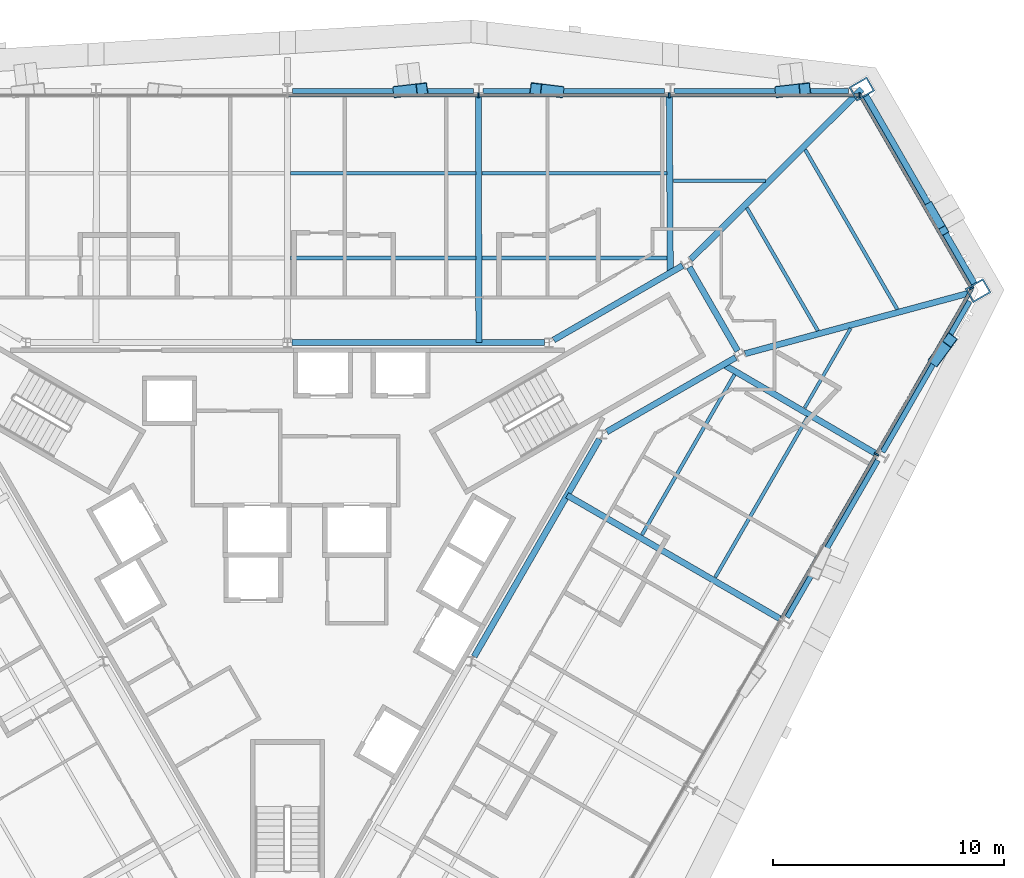
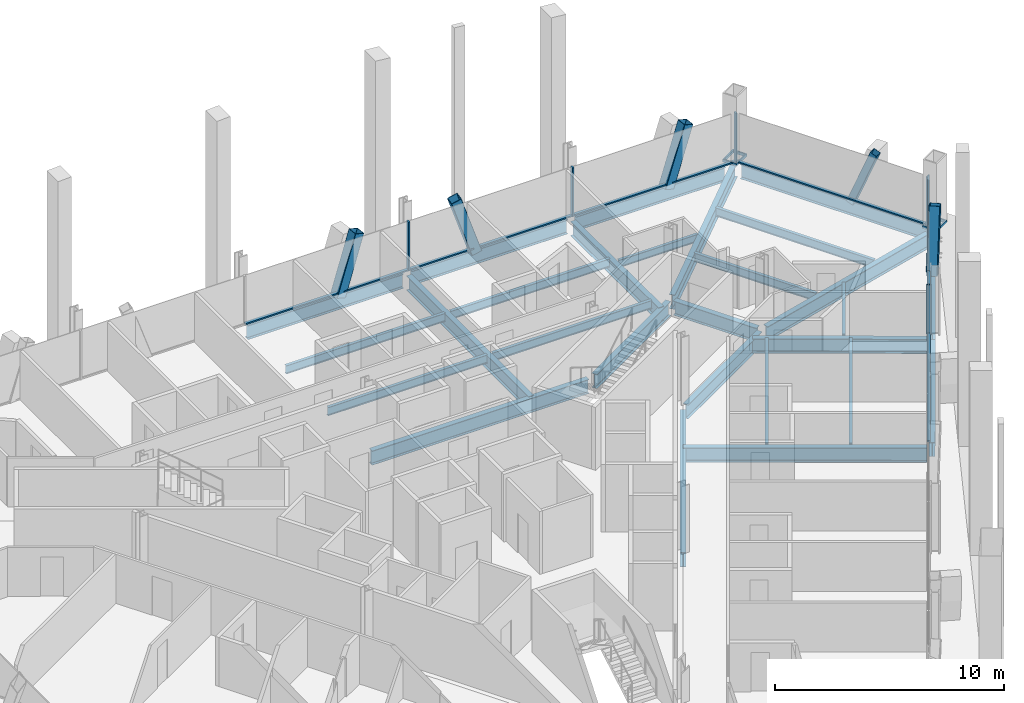
# One storey, part 8 of 17: 27 beams, 18 members, 3 elements without a shape of their own.
"""IFC4 building model written with IfcOpenShell, lengths in metres."""

from ifc_helpers import new_model, si_unit, direction, frame, origin, origin_2d, place, context, subcontext, project, spatial, rectangle, hollow_rectangle, i_section, extrude, material, material_profile, profile_set, type_object, element, aggregate, save


model = new_model("IFC4")

# Units and contexts
model_context = context("Model", 3, precision=1e-05, world=origin(), true_north=direction((0.0, 1.0)))
body_context = subcontext(model_context, "Body", "Model", "MODEL_VIEW")
ifc_project = project(units=[si_unit("LENGTHUNIT", "METRE"), si_unit("AREAUNIT", "SQUARE_METRE"), si_unit("VOLUMEUNIT", "CUBIC_METRE"), si_unit("PLANEANGLEUNIT", "RADIAN"), si_unit("MASSUNIT", "GRAM", prefix="KILO")], contexts=[model_context])

# Site, building, storey
site_placement = place(None, origin())
site = spatial("IfcSite", under=ifc_project, at=site_placement, CompositionType="ELEMENT")
building_placement = place(site_placement, origin())
building = spatial("IfcBuilding", under=site, at=building_placement, Name="Verrane Prism Tower", CompositionType="ELEMENT")
storey_placement = place(building_placement, frame((0.0, 0.0, 132.39990234375)))
storey = spatial("IfcBuildingStorey", under=building, at=storey_placement, Name="L32", CompositionType="ELEMENT", Elevation=132.39990234375)

# Member
ifc_material_1 = material(Name="Steel A500 Grade C", Category="steel")
ifc_material_profile_1 = material_profile(ifc_material_1, hollow_rectangle(XDim=0.355712890625, YDim=0.355712890625, WallThickness=0.0126953125, InnerFilletRadius=0.00634765625, OuterFilletRadius=0.01904296875, at=origin_2d()), Name="HSS14x14x1/2")
ifc_profile_set_1 = profile_set([ifc_material_profile_1], Name="Steel A500 Grade C")
member_type_1 = type_object("IfcMemberType", Name="Chamfer brace HSS14x14x1/2", PredefinedType="BRACE", material=ifc_profile_set_1)
member_1_placement = place(storey_placement, frame((27.819580078125, 15.09228515625, -0.2451171875), z_axis=(0.185731946413, -0.321955499145, 0.928357851613), x_axis=(0.866199107184, 0.499699016123, 0.0)))
element("IfcMember", 1, at=member_1_placement, inside=storey, type_object=member_type_1, Name="Chamfer brace NE0 L32", PredefinedType="BRACE", context=body_context, shape_type="SweptSolid", body=[
    extrude(hollow_rectangle(XDim=0.355712890625, YDim=0.355712890625, WallThickness=0.0126953125, InnerFilletRadius=0.00634765625, OuterFilletRadius=0.01904296875, at=origin_2d()), origin(), (0.0, 0.0, 1.0), 3.23486328125),
])

# Beams
ifc_material_2 = material(Name="Steel A992", Category="steel")
ifc_material_profile_2 = material_profile(ifc_material_2, i_section(OverallWidth=0.2666015625, OverallDepth=0.76708984375, WebThickness=0.014892578125, FlangeThickness=0.023681640625, FilletRadius=0.0166015625, at=origin_2d()), Name="W30x124")
ifc_profile_set_2 = profile_set([ifc_material_profile_2], Name="Steel A992")
beam_type_1 = type_object("IfcBeamType", Name="Chamfer spandrel beam W30x124", PredefinedType="SPANDREL", material=ifc_profile_set_2)
beam_1_placement = place(storey_placement, frame((29.7451171875, 11.753173828125, -0.54345703125), z_axis=(-0.499562619687, 0.866277778205, 0.0), x_axis=(-0.866277778205, -0.499562619687, 0.0)))
element("IfcBeam", 2, at=beam_1_placement, inside=storey, type_object=beam_type_1, Name="Chamfer spandrel beam L32", PredefinedType="SPANDREL", context=body_context, shape_type="SweptSolid", body=[
    extrude(i_section(OverallWidth=0.2666015625, OverallDepth=0.76708984375, WebThickness=0.014892578125, FlangeThickness=0.023681640625, FilletRadius=0.0166015625, at=origin_2d()), origin(), (0.0, 0.0, 1.0), 9.38916015625),
])
ifc_material_3 = material(Name="Steel A992", Category="steel")
ifc_material_profile_3 = material_profile(ifc_material_3, i_section(OverallWidth=0.2666015625, OverallDepth=0.7568359375, WebThickness=0.013916015625, FlangeThickness=0.019287109375, FilletRadius=0.0166015625, at=origin_2d()), Name="W30x108")
ifc_profile_set_3 = profile_set([ifc_material_profile_3], Name="Steel A992")
beam_type_2 = type_object("IfcBeamType", Name="Core ring girder W30x108", PredefinedType="BEAM", material=ifc_profile_set_3)
beam_2_placement = place(storey_placement, frame((13.830810546875, 5.335693359375, -0.62841796875), z_axis=(0.866455532004, 0.499254254924, 0.0), x_axis=(-0.499254254924, 0.866455532004, 0.0)))
element("IfcBeam", 3, at=beam_2_placement, inside=storey, type_object=beam_type_2, Name="Core ring girder L32", PredefinedType="BEAM", context=body_context, shape_type="SweptSolid", body=[
    extrude(i_section(OverallWidth=0.2666015625, OverallDepth=0.7568359375, WebThickness=0.013916015625, FlangeThickness=0.019287109375, FilletRadius=0.0166015625, at=origin_2d()), origin(), (0.0, 0.0, 1.0), 6.441162109375),
])
beam_3_placement = place(storey_placement, frame((19.4970703125, 8.838134765625, -0.62841796875), z_axis=(-0.500367003619, 0.865813410435, 0.0), x_axis=(-0.865813410435, -0.500367003619, 0.0)))
element("IfcBeam", 4, at=beam_3_placement, inside=storey, type_object=beam_type_2, Name="Core ring girder L32", PredefinedType="BEAM", context=body_context, shape_type="SweptSolid", body=[
    extrude(i_section(OverallWidth=0.2666015625, OverallDepth=0.7568359375, WebThickness=0.013916015625, FlangeThickness=0.019287109375, FilletRadius=0.0166015625, at=origin_2d()), origin(), (0.0, 0.0, 1.0), 4.185302734375),
])
beam_4_placement = place(storey_placement, frame((17.11181640625, 12.531494140625, -0.62841796875), z_axis=(-0.866455532004, -0.499254254924, 0.0), x_axis=(0.499254254924, -0.866455532004, 0.0)))
element("IfcBeam", 5, at=beam_4_placement, inside=storey, type_object=beam_type_2, Name="Core ring girder L32", PredefinedType="BEAM", context=body_context, shape_type="SweptSolid", body=[
    extrude(i_section(OverallWidth=0.2666015625, OverallDepth=0.7568359375, WebThickness=0.013916015625, FlangeThickness=0.019287109375, FilletRadius=0.0166015625, at=origin_2d()), origin(), (0.0, 0.0, 1.0), 6.441162109375),
])
beam_5_placement = place(storey_placement, frame((11.12939453125, 9.199951171875, -0.62841796875), z_axis=(-1.0, 0.0, 0.0), x_axis=(0.0, -1.0, 0.0)))
element("IfcBeam", 6, at=beam_5_placement, inside=storey, type_object=beam_type_2, Name="Core ring girder L32", PredefinedType="BEAM", context=body_context, shape_type="SweptSolid", body=[
    extrude(i_section(OverallWidth=0.2666015625, OverallDepth=0.7568359375, WebThickness=0.013916015625, FlangeThickness=0.019287109375, FilletRadius=0.0166015625, at=origin_2d()), origin(), (0.0, 0.0, 1.0), 10.9287109375),
])
beam_6_placement = place(storey_placement, frame((8.0849609375, -4.400634765625, -0.62841796875), z_axis=(0.4993706109, 0.866388476937, 0.0), x_axis=(-0.866388476937, 0.4993706109, 0.0)))
element("IfcBeam", 7, at=beam_6_placement, inside=storey, type_object=beam_type_2, Name="Core ring girder L32", PredefinedType="BEAM", context=body_context, shape_type="SweptSolid", body=[
    extrude(i_section(OverallWidth=0.2666015625, OverallDepth=0.7568359375, WebThickness=0.013916015625, FlangeThickness=0.019287109375, FilletRadius=0.0166015625, at=origin_2d()), origin(), (0.0, 0.0, 1.0), 10.8740234375),
])
ifc_material_4 = material(Name="Steel A992", Category="steel")
ifc_material_profile_4 = material_profile(ifc_material_4, i_section(OverallWidth=0.2666015625, OverallDepth=0.76708984375, WebThickness=0.014892578125, FlangeThickness=0.023681640625, FilletRadius=0.0166015625, at=origin_2d()), Name="W30x124")
ifc_profile_set_4 = profile_set([ifc_material_profile_4], Name="Steel A992")
beam_type_3 = type_object("IfcBeamType", Name="Corner girder W30x124", PredefinedType="BEAM", material=ifc_profile_set_4)
beam_7_placement = place(storey_placement, frame((29.470458984375, 11.32861328125, -0.603515625), z_axis=(-0.965337296085, -0.261005564666, 0.0), x_axis=(0.261005564666, -0.965337296085, 0.0)))
element("IfcBeam", 8, at=beam_7_placement, inside=storey, type_object=beam_type_3, Name="Corner girder L32", PredefinedType="BEAM", context=body_context, shape_type="SweptSolid", body=[
    extrude(i_section(OverallWidth=0.2666015625, OverallDepth=0.76708984375, WebThickness=0.014892578125, FlangeThickness=0.023681640625, FilletRadius=0.0166015625, at=origin_2d()), origin(), (0.0, 0.0, 1.0), 10.000244140625),
])
beam_8_placement = place(storey_placement, frame((24.87744140625, 20.1875, -0.603515625), z_axis=(-0.708504451499, -0.705706342756, 0.0), x_axis=(0.705706342756, -0.708504451499, 0.0)))
element("IfcBeam", 9, at=beam_8_placement, inside=storey, type_object=beam_type_3, Name="Corner girder L32", PredefinedType="BEAM", context=body_context, shape_type="SweptSolid", body=[
    extrude(i_section(OverallWidth=0.2666015625, OverallDepth=0.76708984375, WebThickness=0.014892578125, FlangeThickness=0.023681640625, FilletRadius=0.0166015625, at=origin_2d()), origin(), (0.0, 0.0, 1.0), 10.47021484375),
])

# Members
ifc_material_5 = material(Name="Steel A1085 Grade A", Category="steel")
ifc_material_profile_5 = material_profile(ifc_material_5, hollow_rectangle(XDim=0.508056640625, YDim=0.508056640625, WallThickness=0.025390625, InnerFilletRadius=0.0126953125, OuterFilletRadius=0.0380859375, at=origin_2d()), Name="HSS20x20x1")
ifc_profile_set_5 = profile_set([ifc_material_profile_5], Name="Steel A1085 Grade A")
member_type_2 = type_object("IfcMemberType", Name="Facade brace HSS20x20x1", PredefinedType="BRACE", material=ifc_profile_set_5)
member_2_placement = place(storey_placement, frame((21.365966796875, 20.0712890625, -0.242431640625), z_axis=(0.326612329681, 0.037252661869, 0.944423964798), x_axis=(-0.113322995926, 0.993558200909, 0.0)))
element("IfcMember", 10, at=member_2_placement, inside=storey, type_object=member_type_2, Name="Facade brace N0 L32", PredefinedType="BRACE", context=body_context, shape_type="SweptSolid", body=[
    extrude(hollow_rectangle(XDim=0.508056640625, YDim=0.508056640625, WallThickness=0.025390625, InnerFilletRadius=0.0126953125, OuterFilletRadius=0.0380859375, at=origin_2d()), origin(), (0.0, 0.0, 1.0), 3.18505859375),
])
member_3_placement = place(storey_placement, frame((11.716064453125, 20.0712890625, -0.242431640625), z_axis=(-0.304580501123, 0.037541497222, 0.951746475865), x_axis=(-0.122330674026, -0.992489398529, 0.0)))
element("IfcMember", 11, at=member_3_placement, inside=storey, type_object=member_type_2, Name="Facade brace N1 L32", PredefinedType="BRACE", context=body_context, shape_type="SweptSolid", body=[
    extrude(hollow_rectangle(XDim=0.508056640625, YDim=0.508056640625, WallThickness=0.025390625, InnerFilletRadius=0.0126953125, OuterFilletRadius=0.0380859375, at=origin_2d()), origin(), (0.0, 0.0, 1.0), 3.16064453125),
])
member_4_placement = place(storey_placement, frame((4.822998046875, 20.0712890625, -0.242431640625), z_axis=(0.315244426723, 0.037404490085, 0.948273091225), x_axis=(-0.117825844101, 0.993034274565, 0.0)))
element("IfcMember", 12, at=member_4_placement, inside=storey, type_object=member_type_2, Name="Facade brace N2 L32", PredefinedType="BRACE", context=body_context, shape_type="SweptSolid", body=[
    extrude(hollow_rectangle(XDim=0.508056640625, YDim=0.508056640625, WallThickness=0.025390625, InnerFilletRadius=0.0126953125, OuterFilletRadius=0.0380859375, at=origin_2d()), origin(), (0.0, 0.0, 1.0), 3.172119140625),
])
member_5_placement = place(storey_placement, frame((28.064697265625, 8.469482421875, -0.242431640625), z_axis=(0.195113232016, 0.26395868677, 0.944593371971), x_axis=(-0.804156725059, 0.594417329444, 0.0)))
element("IfcMember", 13, at=member_5_placement, inside=storey, type_object=member_type_2, Name="Facade brace SE5 L32", PredefinedType="BRACE", context=body_context, shape_type="SweptSolid", body=[
    extrude(hollow_rectangle(XDim=0.508056640625, YDim=0.508056640625, WallThickness=0.025390625, InnerFilletRadius=0.0126953125, OuterFilletRadius=0.0380859375, at=origin_2d()), origin(), (0.0, 0.0, 1.0), 3.1845703125),
])

# Beams
ifc_material_6 = material(Name="Steel A992", Category="steel")
ifc_material_profile_6 = material_profile(ifc_material_6, i_section(OverallWidth=0.140380859375, OverallDepth=0.40380859375, WebThickness=0.007080078125, FlangeThickness=0.01123046875, FilletRadius=0.01025390625, at=origin_2d()), Name="W16x31")
ifc_profile_set_6 = profile_set([ifc_material_profile_6], Name="Steel A992")
beam_type_4 = type_object("IfcBeamType", Name="Floor beam W16x31", PredefinedType="BEAM", material=ifc_profile_set_6)
beam_9_placement = place(storey_placement, frame((16.71337890625, 16.2099609375, -0.36181640625), z_axis=(1.0, 0.0, 0.0), x_axis=(0.0, 1.0, 0.0)))
element("IfcBeam", 14, at=beam_9_placement, inside=storey, type_object=beam_type_4, Name="Floor beam L32", PredefinedType="BEAM", context=body_context, shape_type="SweptSolid", body=[
    extrude(i_section(OverallWidth=0.140380859375, OverallDepth=0.40380859375, WebThickness=0.007080078125, FlangeThickness=0.01123046875, FilletRadius=0.01025390625, at=origin_2d()), origin(), (0.0, 0.0, 1.0), 3.981689453125),
])
beam_10_placement = place(storey_placement, frame((22.40185546875, 6.37548828125, -0.36181640625), z_axis=(0.499972468829, 0.86604129833, 0.0), x_axis=(-0.86604129833, 0.499972468829, 0.0)))
element("IfcBeam", 15, at=beam_10_placement, inside=storey, type_object=beam_type_4, Name="Floor beam L32", PredefinedType="BEAM", context=body_context, shape_type="SweptSolid", body=[
    extrude(i_section(OverallWidth=0.140380859375, OverallDepth=0.40380859375, WebThickness=0.007080078125, FlangeThickness=0.01123046875, FilletRadius=0.01025390625, at=origin_2d()), origin(), (0.0, 0.0, 1.0), 3.972900390625),
])
ifc_material_7 = material(Name="Steel A992", Category="steel")
ifc_material_profile_7 = material_profile(ifc_material_7, i_section(OverallWidth=0.15234375, OverallDepth=0.449462890625, WebThickness=0.007568359375, FlangeThickness=0.0107421875, FilletRadius=0.01025390625, at=origin_2d()), Name="W18x35")
ifc_profile_set_7 = profile_set([ifc_material_profile_7], Name="Steel A992")
beam_type_5 = type_object("IfcBeamType", Name="Floor beam W18x35", PredefinedType="BEAM", material=ifc_profile_set_7)
for number, where, z_axis, x_axis, name in (
    (16, (8.423583984375, 12.86328125, -0.384765625), (1.0, 0.0, 0.0), (0.0, 1.0, 0.0), "Floor beam L32"),
    (17, (8.423583984375, 16.526611328125, -0.384765625), (1.0, 0.0, 0.0), (0.0, 1.0, 0.0), "Floor beam L32"),
    (18, (0.133544921875, 12.86328125, -0.384765625), (1.0, 0.0, 0.0), (0.0, 1.0, 0.0), "Floor beam L32"),
    (19, (0.133544921875, 16.526611328125, -0.384765625), (1.0, 0.0, 0.0), (0.0, 1.0, 0.0), "Floor beam L32"),
):
    element("IfcBeam", number, at=place(storey_placement, frame(where, z_axis=z_axis, x_axis=x_axis)), inside=storey, type_object=beam_type_5, Name=name, PredefinedType="BEAM", context=body_context, shape_type="SweptSolid", body=[
        extrude(i_section(OverallWidth=0.15234375, OverallDepth=0.449462890625, WebThickness=0.007568359375, FlangeThickness=0.0107421875, FilletRadius=0.01025390625, at=origin_2d()), origin(), (0.0, 0.0, 1.0), 8.02294921875),
    ])
beam_11_placement = place(storey_placement, frame((18.525634765625, -0.96240234375, -0.384765625), z_axis=(0.499996300355, 0.866027539765, 0.0), x_axis=(-0.866027539765, 0.499996300355, 0.0)))
element("IfcBeam", 20, at=beam_11_placement, inside=storey, type_object=beam_type_5, Name="Floor beam L32", PredefinedType="BEAM", context=body_context, shape_type="SweptSolid", body=[
    extrude(i_section(OverallWidth=0.15234375, OverallDepth=0.449462890625, WebThickness=0.007568359375, FlangeThickness=0.0107421875, FilletRadius=0.01025390625, at=origin_2d()), origin(), (0.0, 0.0, 1.0), 8.02587890625),
])
beam_12_placement = place(storey_placement, frame((15.351318359375, 0.87158203125, -0.384765625), z_axis=(0.499986657325, 0.866033107044, 0.0), x_axis=(-0.866033107044, 0.499986657325, 0.0)))
element("IfcBeam", 21, at=beam_12_placement, inside=storey, type_object=beam_type_5, Name="Floor beam L32", PredefinedType="BEAM", context=body_context, shape_type="SweptSolid", body=[
    extrude(i_section(OverallWidth=0.15234375, OverallDepth=0.449462890625, WebThickness=0.007568359375, FlangeThickness=0.0107421875, FilletRadius=0.01025390625, at=origin_2d()), origin(), (0.0, 0.0, 1.0), 8.025634765625),
])
beam_13_placement = place(storey_placement, frame((26.413818359375, 10.640380859375, -0.384765625), z_axis=(-0.500003955024, 0.866023120338, 0.0), x_axis=(-0.866023120338, -0.500003955024, 0.0)))
element("IfcBeam", 22, at=beam_13_placement, inside=storey, type_object=beam_type_5, Name="Floor beam L32", PredefinedType="BEAM", context=body_context, shape_type="SweptSolid", body=[
    extrude(i_section(OverallWidth=0.15234375, OverallDepth=0.449462890625, WebThickness=0.007568359375, FlangeThickness=0.0107421875, FilletRadius=0.01025390625, at=origin_2d()), origin(), (0.0, 0.0, 1.0), 7.98291015625),
])
beam_14_placement = place(storey_placement, frame((22.971435546875, 9.709716796875, -0.384765625), z_axis=(-0.499989277538, 0.866031594312, 0.0), x_axis=(-0.866031594312, -0.499989277538, 0.0)))
element("IfcBeam", 23, at=beam_14_placement, inside=storey, type_object=beam_type_5, Name="Floor beam L32", PredefinedType="BEAM", context=body_context, shape_type="SweptSolid", body=[
    extrude(i_section(OverallWidth=0.15234375, OverallDepth=0.449462890625, WebThickness=0.007568359375, FlangeThickness=0.0107421875, FilletRadius=0.01025390625, at=origin_2d()), origin(), (0.0, 0.0, 1.0), 6.151611328125),
])

# Members
ifc_material_8 = material(Name="Steel A572 Grade 50", Category="steel")
ifc_material_profile_8 = material_profile(ifc_material_8, hollow_rectangle(XDim=0.699951171875, YDim=0.89990234375, WallThickness=0.06494140625, at=origin_2d()), Name="BOX 900x700x65")
ifc_profile_set_8 = profile_set([ifc_material_profile_8], Name="Steel A572 Grade 50")
member_type_3 = type_object("IfcMemberType", Name="Kink node BOX 900x700x65", PredefinedType="COLLAR", material=ifc_profile_set_8)
for number, where, z_axis, x_axis, name in (
    (24, (29.91162109375, 11.449951171875, -0.074951171875), (0.0, 0.0, 1.0), (0.5, -0.866025403784, 0.0), "Kink node MC3 L32"),
    (25, (24.875732421875, 20.1826171875, -0.074951171875), (0.0, 0.0, 1.0), (0.5, -0.866025403784, 0.0), "Kink node MC3 L32"),
):
    element("IfcMember", number, at=place(storey_placement, frame(where, z_axis=z_axis, x_axis=x_axis)), inside=storey, type_object=member_type_3, Name=name, PredefinedType="COLLAR", context=body_context, shape_type="SweptSolid", body=[
        extrude(hollow_rectangle(XDim=0.699951171875, YDim=0.89990234375, WallThickness=0.06494140625, at=origin_2d()), origin(), (0.0, 0.0, 1.0), 0.150146484375),
    ])

# Curtain wall, member
ifc_material_9 = material(Name="Aluminium framed insulated glazing", Category="aluminium")
curtain_wall_type = type_object("IfcCurtainWallType", Name="Curtain wall CW-A 8400 module", PredefinedType="NOTDEFINED", material=ifc_material_9)
curtain_wall_1_placement = place(storey_placement, origin())
curtain_wall_1 = element("IfcCurtainWall", 26, at=curtain_wall_1_placement, inside=storey, type_object=curtain_wall_type, Name="Glazed curtain wall north-east corner L32", PredefinedType="NOTDEFINED")
ifc_material_10 = material(Name="Aluminium alloy 6063-T6", Category="aluminium")
ifc_material_profile_9 = material_profile(ifc_material_10, rectangle(XDim=0.199951171875, YDim=0.070068359375, at=origin_2d()), Name="Mullion 70x200 aluminium")
ifc_profile_set_9 = profile_set([ifc_material_profile_9], Name="Aluminium alloy 6063-T6")
member_type_4 = type_object("IfcMemberType", Name="Mullion 70x200 aluminium", PredefinedType="MULLION", material=ifc_profile_set_9)
member_6_placement = place(storey_placement, frame((29.62744140625, 11.554931640625, 0.0), z_axis=(0.0, 0.0, 1.0), x_axis=(-0.866027551544, -0.499996279953, 0.0)))
member_6 = element("IfcMember", 27, at=member_6_placement, type_object=member_type_4, Name="CW32.1 mullion 1", PredefinedType="MULLION", context=body_context, shape_type="SweptSolid", body=[
    extrude(rectangle(XDim=0.199951171875, YDim=0.070068359375, at=origin_2d()), origin(), (0.0, 0.0, 1.0), 2.613037109375),
])

# Curtain wall, members
curtain_wall_2_placement = place(storey_placement, origin())
curtain_wall_2 = element("IfcCurtainWall", 28, at=curtain_wall_2_placement, inside=storey, type_object=curtain_wall_type, Name="Glazed curtain wall north face L32", PredefinedType="NOTDEFINED")
member_7_placement = place(storey_placement, frame((24.76806640625, 19.910888671875, 0.0), z_axis=(0.0, 0.0, 1.0), x_axis=(0.0, -1.0, 0.0)))
member_7 = element("IfcMember", 29, at=member_7_placement, type_object=member_type_4, Name="CW32.2 mullion 1", PredefinedType="MULLION", context=body_context, shape_type="SweptSolid", body=[
    extrude(rectangle(XDim=0.199951171875, YDim=0.070068359375, at=origin_2d()), origin(), (0.0, 0.0, 1.0), 2.613037109375),
])
member_8_placement = place(storey_placement, frame((16.535400390625, 19.910888671875, 0.0), z_axis=(0.0, 0.0, 1.0), x_axis=(0.0, -1.0, 0.0)))
member_8 = element("IfcMember", 30, at=member_8_placement, type_object=member_type_4, Name="CW32.2 mullion 2", PredefinedType="MULLION", context=body_context, shape_type="SweptSolid", body=[
    extrude(rectangle(XDim=0.199951171875, YDim=0.070068359375, at=origin_2d()), origin(), (0.0, 0.0, 1.0), 2.613037109375),
])
member_9_placement = place(storey_placement, frame((8.267578125, 19.910888671875, 0.0), z_axis=(0.0, 0.0, 1.0), x_axis=(0.0, -1.0, 0.0)))
member_9 = element("IfcMember", 31, at=member_9_placement, type_object=member_type_4, Name="CW32.2 mullion 3", PredefinedType="MULLION", context=body_context, shape_type="SweptSolid", body=[
    extrude(rectangle(XDim=0.199951171875, YDim=0.070068359375, at=origin_2d()), origin(), (0.0, 0.0, 1.0), 2.613037109375),
])

# Curtain wall, member
curtain_wall_3_placement = place(storey_placement, origin())
curtain_wall_3 = element("IfcCurtainWall", 32, at=curtain_wall_3_placement, inside=storey, type_object=curtain_wall_type, Name="Glazed curtain wall south-east face L32", PredefinedType="NOTDEFINED")
member_10_placement = place(storey_placement, frame((25.510986328125, 4.364501953125, 0.0), z_axis=(0.0, 0.0, 1.0), x_axis=(-0.866025120648, 0.500000490406, 0.0)))
member_10 = element("IfcMember", 33, at=member_10_placement, type_object=member_type_4, Name="CW32.6 mullion 6", PredefinedType="MULLION", context=body_context, shape_type="SweptSolid", body=[
    extrude(rectangle(XDim=0.199951171875, YDim=0.070068359375, at=origin_2d()), origin(), (0.0, 0.0, 1.0), 2.613037109375),
])

# Beams
ifc_material_11 = material(Name="Steel A992", Category="steel")
ifc_material_profile_10 = material_profile(ifc_material_11, i_section(OverallWidth=0.2666015625, OverallDepth=0.76708984375, WebThickness=0.014892578125, FlangeThickness=0.023681640625, FilletRadius=0.0166015625, at=origin_2d()), Name="W30x124")
ifc_profile_set_10 = profile_set([ifc_material_profile_10], Name="Steel A992")
beam_type_6 = type_object("IfcBeamType", Name="Radial girder W30x124", PredefinedType="BEAM", material=ifc_profile_set_10)
beam_15_placement = place(storey_placement, frame((16.53564453125, 19.843994140625, -0.603515625), z_axis=(0.005831925688, -0.999982994177, 0.0), x_axis=(0.999982994177, 0.005831925688, 0.0)))
element("IfcBeam", 34, at=beam_15_placement, inside=storey, type_object=beam_type_6, Name="Radial girder L32", PredefinedType="BEAM", context=body_context, shape_type="SweptSolid", body=[
    extrude(i_section(OverallWidth=0.2666015625, OverallDepth=0.76708984375, WebThickness=0.014892578125, FlangeThickness=0.023681640625, FilletRadius=0.0166015625, at=origin_2d()), origin(), (0.0, 0.0, 1.0), 7.619140625),
])
beam_16_placement = place(storey_placement, frame((8.2685546875, 19.843994140625, -0.603515625), z_axis=(0.002018437101, -0.999997962954, 0.0), x_axis=(0.999997962954, 0.002018437101, 0.0)))
element("IfcBeam", 35, at=beam_16_placement, inside=storey, type_object=beam_type_6, Name="Radial girder L32", PredefinedType="BEAM", context=body_context, shape_type="SweptSolid", body=[
    extrude(i_section(OverallWidth=0.2666015625, OverallDepth=0.76708984375, WebThickness=0.014892578125, FlangeThickness=0.023681640625, FilletRadius=0.0166015625, at=origin_2d()), origin(), (0.0, 0.0, 1.0), 10.64404296875),
])
beam_17_placement = place(storey_placement, frame((21.31982421875, -2.7568359375, -0.603515625), z_axis=(-0.864970071219, 0.501823450922, 0.0), x_axis=(-0.501823450922, -0.864970071219, 0.0)))
element("IfcBeam", 36, at=beam_17_placement, inside=storey, type_object=beam_type_6, Name="Radial girder L32", PredefinedType="BEAM", context=body_context, shape_type="SweptSolid", body=[
    extrude(i_section(OverallWidth=0.2666015625, OverallDepth=0.76708984375, WebThickness=0.014892578125, FlangeThickness=0.023681640625, FilletRadius=0.0166015625, at=origin_2d()), origin(), (0.0, 0.0, 1.0), 10.645751953125),
])
beam_18_placement = place(storey_placement, frame((25.45849609375, 4.403564453125, -0.603515625), z_axis=(-0.863044132395, 0.505128523783, 0.0), x_axis=(-0.505128523783, -0.863044132395, 0.0)))
element("IfcBeam", 37, at=beam_18_placement, inside=storey, type_object=beam_type_6, Name="Radial girder L32", PredefinedType="BEAM", context=body_context, shape_type="SweptSolid", body=[
    extrude(i_section(OverallWidth=0.2666015625, OverallDepth=0.76708984375, WebThickness=0.014892578125, FlangeThickness=0.023681640625, FilletRadius=0.0166015625, at=origin_2d()), origin(), (0.0, 0.0, 1.0), 7.61376953125),
])
ifc_material_12 = material(Name="Steel A992", Category="steel")
ifc_material_profile_11 = material_profile(ifc_material_12, i_section(OverallWidth=0.2666015625, OverallDepth=0.7568359375, WebThickness=0.013916015625, FlangeThickness=0.019287109375, FilletRadius=0.0166015625, at=origin_2d()), Name="W30x108")
ifc_profile_set_11 = profile_set([ifc_material_profile_11], Name="Steel A992")
beam_type_7 = type_object("IfcBeamType", Name="Spandrel beam W30x108", PredefinedType="SPANDREL", material=ifc_profile_set_11)
beam_19_placement = place(storey_placement, frame((24.291015625, 20.0712890625, -0.538330078125), z_axis=(-1.0, 0.0, 0.0), x_axis=(0.0, -1.0, 0.0)))
element("IfcBeam", 38, at=beam_19_placement, inside=storey, type_object=beam_type_7, Name="Spandrel beam L32", PredefinedType="SPANDREL", context=body_context, shape_type="SweptSolid", body=[
    extrude(i_section(OverallWidth=0.2666015625, OverallDepth=0.7568359375, WebThickness=0.013916015625, FlangeThickness=0.019287109375, FilletRadius=0.0166015625, at=origin_2d()), origin(), (0.0, 0.0, 1.0), 7.547119140625),
])
beam_20_placement = place(storey_placement, frame((16.32470703125, 20.0712890625, -0.538330078125), z_axis=(-1.0, 0.0, 0.0), x_axis=(0.0, -1.0, 0.0)))
element("IfcBeam", 39, at=beam_20_placement, inside=storey, type_object=beam_type_7, Name="Spandrel beam L32", PredefinedType="SPANDREL", context=body_context, shape_type="SweptSolid", body=[
    extrude(i_section(OverallWidth=0.2666015625, OverallDepth=0.7568359375, WebThickness=0.013916015625, FlangeThickness=0.019287109375, FilletRadius=0.0166015625, at=origin_2d()), origin(), (0.0, 0.0, 1.0), 7.84716796875),
])
beam_21_placement = place(storey_placement, frame((8.05859375, 20.0712890625, -0.538330078125), z_axis=(-1.0, 0.0, 0.0), x_axis=(0.0, -1.0, 0.0)))
element("IfcBeam", 40, at=beam_21_placement, inside=storey, type_object=beam_type_7, Name="Spandrel beam L32", PredefinedType="SPANDREL", context=body_context, shape_type="SweptSolid", body=[
    extrude(i_section(OverallWidth=0.2666015625, OverallDepth=0.7568359375, WebThickness=0.013916015625, FlangeThickness=0.019287109375, FilletRadius=0.0166015625, at=origin_2d()), origin(), (0.0, 0.0, 1.0), 7.84912109375),
])
beam_22_placement = place(storey_placement, frame((21.621337890625, -2.689697265625, -0.538330078125), z_axis=(0.500409712732, 0.865788726771, 0.0), x_axis=(-0.865788726771, 0.500409712732, 0.0)))
element("IfcBeam", 41, at=beam_22_placement, inside=storey, type_object=beam_type_7, Name="Spandrel beam L32", PredefinedType="SPANDREL", context=body_context, shape_type="SweptSolid", body=[
    extrude(i_section(OverallWidth=0.2666015625, OverallDepth=0.7568359375, WebThickness=0.013916015625, FlangeThickness=0.019287109375, FilletRadius=0.0166015625, at=origin_2d()), origin(), (0.0, 0.0, 1.0), 7.8505859375),
])
beam_23_placement = place(storey_placement, frame((25.75927734375, 4.47021484375, -0.538330078125), z_axis=(0.499411141273, 0.866365114702, 0.0), x_axis=(-0.866365114702, 0.499411141273, 0.0)))
element("IfcBeam", 42, at=beam_23_placement, inside=storey, type_object=beam_type_7, Name="Spandrel beam L32", PredefinedType="SPANDREL", context=body_context, shape_type="SweptSolid", body=[
    extrude(i_section(OverallWidth=0.2666015625, OverallDepth=0.7568359375, WebThickness=0.013916015625, FlangeThickness=0.019287109375, FilletRadius=0.0166015625, at=origin_2d()), origin(), (0.0, 0.0, 1.0), 7.53662109375),
])

# Member
ifc_material_13 = material(Name="Aluminium alloy 6063-T6", Category="aluminium")
ifc_material_profile_12 = material_profile(ifc_material_13, rectangle(XDim=0.14990234375, YDim=0.070068359375, at=origin_2d()), Name="Transom 70x150 aluminium")
ifc_profile_set_12 = profile_set([ifc_material_profile_12], Name="Aluminium alloy 6063-T6")
member_type_5 = type_object("IfcMemberType", Name="Transom 70x150 aluminium", PredefinedType="USERDEFINED", material=ifc_profile_set_12)
member_11_placement = place(storey_placement, frame((29.60986328125, 11.585205078125, 0.03515625), z_axis=(-0.500003830592, 0.86602319218, 0.0), x_axis=(-0.86602319218, -0.500003830592, 0.0)))
member_11 = element("IfcMember", 43, at=member_11_placement, type_object=member_type_5, Name="CW32.1 transom 1", ObjectType="TRANSOM", PredefinedType="USERDEFINED", context=body_context, shape_type="SweptSolid", body=[
    extrude(rectangle(XDim=0.14990234375, YDim=0.070068359375, at=origin_2d()), origin(), (0.0, 0.0, 1.0), 9.61376953125),
])

aggregate(curtain_wall_1, [member_6, member_11])

member_12_placement = place(storey_placement, frame((24.73291015625, 19.910888671875, 0.03515625), z_axis=(-1.0, 0.0, 0.0), x_axis=(0.0, -1.0, 0.0)))
member_12 = element("IfcMember", 44, at=member_12_placement, type_object=member_type_5, Name="CW32.2 transom 1", ObjectType="TRANSOM", PredefinedType="USERDEFINED", context=body_context, shape_type="SweptSolid", body=[
    extrude(rectangle(XDim=0.14990234375, YDim=0.070068359375, at=origin_2d()), origin(), (0.0, 0.0, 1.0), 8.16259765625),
])

member_13_placement = place(storey_placement, frame((16.500244140625, 19.910888671875, 0.03515625), z_axis=(-1.0, 0.0, 0.0), x_axis=(0.0, -1.0, 0.0)))
member_13 = element("IfcMember", 45, at=member_13_placement, type_object=member_type_5, Name="CW32.2 transom 2", ObjectType="TRANSOM", PredefinedType="USERDEFINED", context=body_context, shape_type="SweptSolid", body=[
    extrude(rectangle(XDim=0.14990234375, YDim=0.070068359375, at=origin_2d()), origin(), (0.0, 0.0, 1.0), 8.197509765625),
])

member_14_placement = place(storey_placement, frame((8.232666015625, 19.910888671875, 0.03515625), z_axis=(-1.0, 0.0, 0.0), x_axis=(0.0, -1.0, 0.0)))
member_14 = element("IfcMember", 46, at=member_14_placement, type_object=member_type_5, Name="CW32.2 transom 3", ObjectType="TRANSOM", PredefinedType="USERDEFINED", context=body_context, shape_type="SweptSolid", body=[
    extrude(rectangle(XDim=0.14990234375, YDim=0.070068359375, at=origin_2d()), origin(), (0.0, 0.0, 1.0), 8.19775390625),
])

aggregate(curtain_wall_2, [member_7, member_8, member_9, member_12, member_13, member_14])

member_15_placement = place(storey_placement, frame((21.394775390625, -2.76513671875, 0.03515625), z_axis=(0.500005171338, 0.866022418091, 0.0), x_axis=(-0.866022418091, 0.500005171338, 0.0)))
member_15 = element("IfcMember", 47, at=member_15_placement, type_object=member_type_5, Name="CW32.6 transom 5", ObjectType="TRANSOM", PredefinedType="USERDEFINED", context=body_context, shape_type="SweptSolid", body=[
    extrude(rectangle(XDim=0.14990234375, YDim=0.070068359375, at=origin_2d()), origin(), (0.0, 0.0, 1.0), 8.19775390625),
])

member_16_placement = place(storey_placement, frame((25.528564453125, 4.394775390625, 0.03515625), z_axis=(0.500014236345, 0.866017184271, 0.0), x_axis=(-0.866017184271, 0.500014236345, 0.0)))
member_16 = element("IfcMember", 48, at=member_16_placement, type_object=member_type_5, Name="CW32.6 transom 6", ObjectType="TRANSOM", PredefinedType="USERDEFINED", context=body_context, shape_type="SweptSolid", body=[
    extrude(rectangle(XDim=0.14990234375, YDim=0.070068359375, at=origin_2d()), origin(), (0.0, 0.0, 1.0), 8.232666015625),
])

aggregate(curtain_wall_3, [member_10, member_15, member_16])

save(model, "model.ifc")
